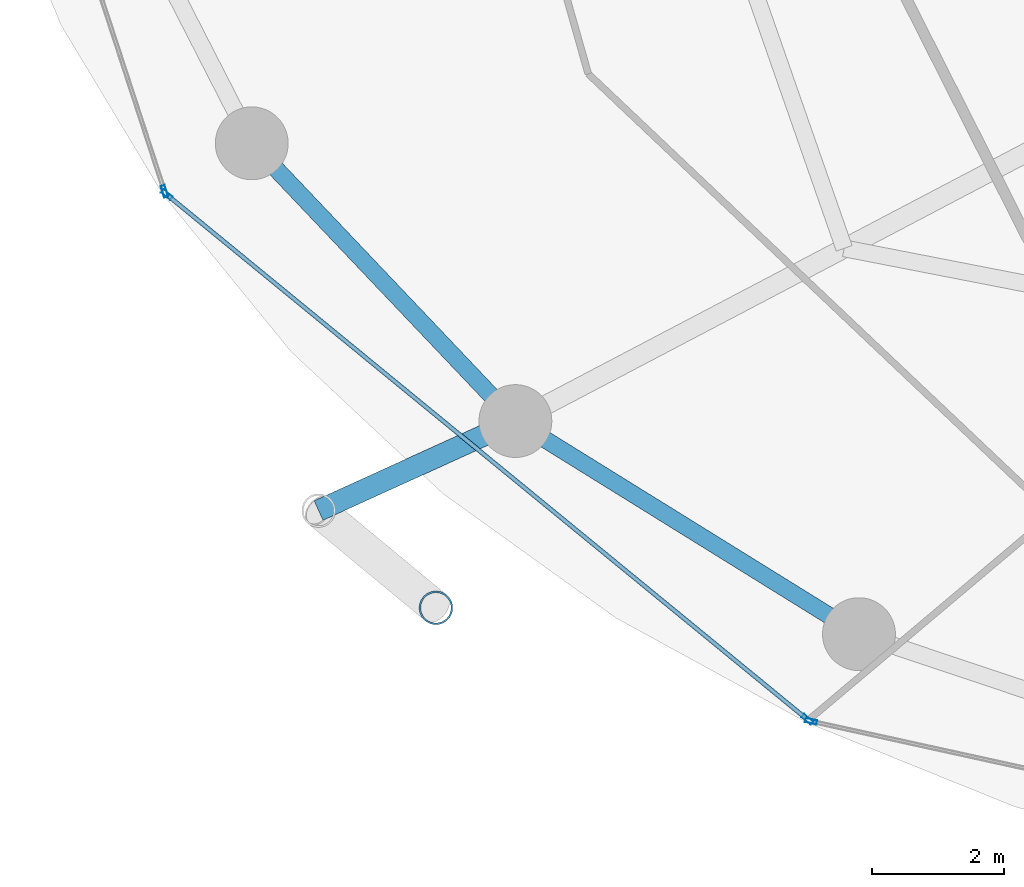
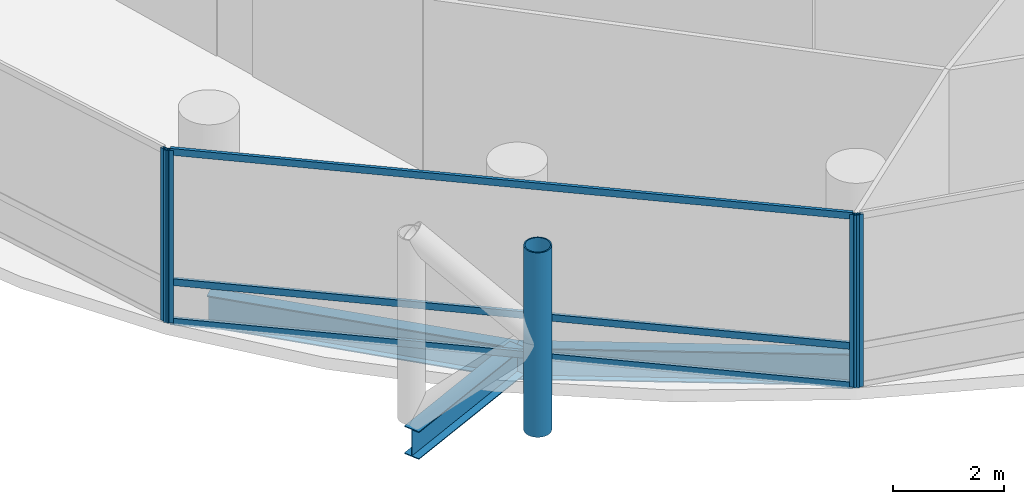
# One storey, part 2 of 24: 8 members, 3 beams, 3 elements without a shape of their own.
"""IFC4 building model written with IfcOpenShell, lengths in metres."""

import ifcopenshell
import ifcopenshell.guid

model = None  # the IFC model being written
_history = None  # IfcOwnerHistory: only IFC2X3 demands one
_inside = {}  # id of a spatial element -> (the spatial element, [elements in it])
_under = {}  # id of a project, library or spatial element -> (it, [spatial elements below it])
_declared = {}  # id of a project -> (the project, [libraries it declares])
_typed = {}  # id of a type object -> (the type object, [elements of that type])
_made_of = {}  # id of a material, layer set ... -> (it, [elements and type objects made of it])


def new_model(schema):
    """Start an empty IFC model of exactly this schema.

    Asked for "IFC4X3", IfcOpenShell would pick the latest addendum, in which some entities
    have other attributes; the version numbers below select the first issue.
    IFC2X3 requires an IfcOwnerHistory on every rooted entity: one is made here for all.
    """
    global model, _history
    if schema == "IFC4X3":
        model = ifcopenshell.file(schema_version=(4, 3, 0, 0))
    else:
        model = ifcopenshell.file(schema=schema)
    _inside.clear()
    _under.clear()
    _declared.clear()
    _typed.clear()
    _made_of.clear()
    _history = None
    if model.schema == "IFC2X3":
        org = make("IfcOrganization", Name="unknown")
        user = make(
            "IfcPersonAndOrganization",
            ThePerson=make("IfcPerson", FamilyName="unknown"),
            TheOrganization=org,
        )
        app = make(
            "IfcApplication",
            ApplicationDeveloper=org,
            Version="unknown",
            ApplicationFullName="unknown",
            ApplicationIdentifier="unknown",
        )
        _history = make(
            "IfcOwnerHistory",
            OwningUser=user,
            OwningApplication=app,
            ChangeAction="ADDED",
            CreationDate=0,
        )
    return model


def make(cls, **values):
    """One entity of the class cls with the attributes given. An attribute that is None is left unset."""
    return model.create_entity(
        cls, **{name: value for name, value in values.items() if value is not None}
    )


def rooted(cls, **values):
    """An entity with a GlobalId (a new one), such as an element, a storey or a relation."""
    return make(cls, GlobalId=ifcopenshell.guid.new(), OwnerHistory=_history, **values)


def si_unit(unit_type, name, prefix=None):
    """IfcSIUnit, for example si_unit("LENGTHUNIT", "METRE", prefix="MILLI")."""
    return make("IfcSIUnit", UnitType=unit_type, Prefix=prefix, Name=name)


def assignment(units):
    """IfcUnitAssignment: the units of a project."""
    return None if units is None else make("IfcUnitAssignment", Units=units)


def point(xyz):
    """IfcCartesianPoint."""
    return None if xyz is None else make("IfcCartesianPoint", Coordinates=xyz)


def direction(xyz):
    """IfcDirection."""
    return None if xyz is None else make("IfcDirection", DirectionRatios=xyz)


def frame(location, z_axis=None, x_axis=None):
    """IfcAxis2Placement3D, a coordinate frame: its origin and axes. An axis left out is left unset."""
    return make(
        "IfcAxis2Placement3D",
        Location=point(location),
        Axis=direction(z_axis),
        RefDirection=direction(x_axis),
    )


def frame_2d(location, x_axis=None):
    """IfcAxis2Placement2D, a coordinate frame in the plane: its origin and x axis."""
    return make(
        "IfcAxis2Placement2D", Location=point(location), RefDirection=direction(x_axis)
    )


def origin():
    """The frame at (0, 0, 0) with its axes left unset."""
    return frame((0.0, 0.0, 0.0))


def origin_2d():
    """The frame at (0, 0) in the plane with its x axis left unset."""
    return frame_2d((0.0, 0.0))


def place(relative_to, where):
    """IfcLocalPlacement: puts the frame where relative to a parent placement (None: the world)."""
    return make(
        "IfcLocalPlacement", PlacementRelTo=relative_to, RelativePlacement=where
    )


def context(
    kind, dimensions, precision=None, world=None, true_north=None, identifier=None
):
    """IfcGeometricRepresentationContext, for example the 3D "Model" context."""
    return make(
        "IfcGeometricRepresentationContext",
        ContextIdentifier=identifier,
        ContextType=kind,
        CoordinateSpaceDimension=dimensions,
        Precision=precision,
        WorldCoordinateSystem=world,
        TrueNorth=true_north,
    )


def subcontext(parent, identifier, kind, view, scale=None):
    """IfcGeometricRepresentationSubContext, for example "Body" below "Model"."""
    return make(
        "IfcGeometricRepresentationSubContext",
        ContextIdentifier=identifier,
        ContextType=kind,
        ParentContext=parent,
        TargetScale=scale,
        TargetView=view,
    )


def project(units=None, contexts=None):
    """IfcProject with its units and contexts."""
    return rooted(
        "IfcProject",
        Name="project",
        RepresentationContexts=contexts,
        UnitsInContext=assignment(units),
    )


def spatial(cls, under=None, at=None, **own):
    """A site, building, storey or space (cls), placed at a placement, below another one or the project."""
    s = rooted(cls, ObjectPlacement=at, **own)
    if under is not None:
        _under.setdefault(under.id(), (under, []))[1].append(s)
    return s


def profile(cls, at=None, kind="AREA", **sizes):
    """A parametric profile (cls). Its sizes go by their IFC names, for example OverallWidth=200.0."""
    return make(cls, ProfileType=kind, Position=at, **sizes)


def hollow_rectangle(**sizes):
    """IfcRectangleHollowProfileDef."""
    return profile("IfcRectangleHollowProfileDef", **sizes)


def hollow_circle(**sizes):
    """IfcCircleHollowProfileDef."""
    return profile("IfcCircleHollowProfileDef", **sizes)


def i_section(**sizes):
    """IfcIShapeProfileDef."""
    return profile("IfcIShapeProfileDef", **sizes)


def extrude(swept, where, along, depth):
    """IfcExtrudedAreaSolid: the profile swept, set in the frame where, extruded along a direction by depth."""
    return make(
        "IfcExtrudedAreaSolid",
        SweptArea=swept,
        Position=where,
        ExtrudedDirection=direction(along),
        Depth=depth,
    )


def shape(context_of_items, identifier, shape_type, items):
    """IfcShapeRepresentation: the items that make up one representation, for example the "Body"."""
    return make(
        "IfcShapeRepresentation",
        ContextOfItems=context_of_items,
        RepresentationIdentifier=identifier,
        RepresentationType=shape_type,
        Items=items,
    )


def material(Name=None, Category=None):
    """IfcMaterial."""
    return make("IfcMaterial", Name=Name, Category=Category)


def layer(
    of_material, thickness, ventilated=None, Name=None, Category=None, Priority=None
):
    """IfcMaterialLayer: one layer of a wall or slab, of a material (None: an air gap)."""
    return make(
        "IfcMaterialLayer",
        Material=of_material,
        LayerThickness=thickness,
        IsVentilated=ventilated,
        Name=Name,
        Category=Category,
        Priority=Priority,
    )


def layer_set(layers, Name=None):
    """IfcMaterialLayerSet."""
    return make("IfcMaterialLayerSet", MaterialLayers=layers, LayerSetName=Name)


def material_profile(
    of_material, cross_section, Name=None, Category=None, Priority=None
):
    """IfcMaterialProfile: a cross section and its material."""
    return make(
        "IfcMaterialProfile",
        Name=Name,
        Material=of_material,
        Profile=cross_section,
        Priority=Priority,
        Category=Category,
    )


def profile_set(profiles, Name=None, composite=None):
    """IfcMaterialProfileSet."""
    return make(
        "IfcMaterialProfileSet",
        Name=Name,
        MaterialProfiles=profiles,
        CompositeProfile=composite,
    )


def made_of(thing, what):
    """Note that an element or type object is made of a material, layer set ...; save() writes the relation."""
    if what is not None:
        _made_of.setdefault(what.id(), (what, []))[1].append(thing)
    return thing


def type_object(cls, material=None, **own):
    """A type object (cls), such as IfcWallType, which elements share."""
    return made_of(rooted(cls, **own), material)


def element(
    cls,
    number,
    at=None,
    inside=None,
    cuts=None,
    type_object=None,
    material=None,
    context=None,
    identifier="Body",
    shape_type=None,
    held_by="IfcProductDefinitionShape",
    body=None,
    shapes=None,
    **own,
):
    """One element of the class cls, such as IfcWall. Its Tag is "e" and its number.

    at: its placement. inside: the storey or other place that contains it. cuts: it is an
    opening in that element (IfcRelVoidsElement). A single representation is given by context,
    identifier, shape_type and body (its items); several are given by shapes. held_by: the class
    of the entity that holds the representations. save() writes the other relations.
    """
    e = rooted(cls, Tag="e%d" % number, ObjectPlacement=at, **own)
    if body is not None:
        shapes = [shape(context, identifier, shape_type, body)]
    if shapes is not None:
        e.Representation = make(held_by, Representations=shapes)
    if inside is not None:
        _inside.setdefault(inside.id(), (inside, []))[1].append(e)
    if cuts is not None:
        rooted(
            "IfcRelVoidsElement", RelatingBuildingElement=cuts, RelatedOpeningElement=e
        )
    if type_object is not None:
        _typed.setdefault(type_object.id(), (type_object, []))[1].append(e)
    return made_of(e, material)


def aggregate(whole, parts):
    """IfcRelAggregates: a whole, such as a stair, and the parts it consists of."""
    return rooted("IfcRelAggregates", RelatingObject=whole, RelatedObjects=parts)


def save(model, path):
    """Write the relations noted so far, then the file.

    IfcRelAggregates (storeys below a building ...), IfcRelContainedInSpatialStructure (elements
    in a storey), IfcRelDefinesByType, IfcRelAssociatesMaterial and IfcRelDeclares: one each for
    every whole, place, type object, material and project.
    """
    for whole, parts in _under.values():
        aggregate(whole, parts)
    for where, things in _inside.values():
        rooted(
            "IfcRelContainedInSpatialStructure",
            RelatedElements=things,
            RelatingStructure=where,
        )
    for kind, things in _typed.values():
        rooted("IfcRelDefinesByType", RelatedObjects=things, RelatingType=kind)
    for what, things in _made_of.values():
        rooted("IfcRelAssociatesMaterial", RelatedObjects=things, RelatingMaterial=what)
    for by, libraries in _declared.values():
        rooted("IfcRelDeclares", RelatingContext=by, RelatedDefinitions=libraries)
    model.write(path)


model = new_model("IFC4")

# Units and contexts
model_context = context("Model", 3, precision=1e-05, world=origin(), true_north=direction((0.0, 1.0)))
body_context = subcontext(model_context, "Body", "Model", "MODEL_VIEW")
ifc_project = project(units=[si_unit("LENGTHUNIT", "METRE"), si_unit("AREAUNIT", "SQUARE_METRE"), si_unit("VOLUMEUNIT", "CUBIC_METRE"), si_unit("PLANEANGLEUNIT", "RADIAN"), si_unit("MASSUNIT", "GRAM", prefix="KILO")], contexts=[model_context])

# Site, building, storey
site_placement = place(None, origin())
site = spatial("IfcSite", under=ifc_project, at=site_placement, CompositionType="ELEMENT")
building_placement = place(site_placement, origin())
building = spatial("IfcBuilding", under=site, at=building_placement, Name="Nuhasar Tower", CompositionType="ELEMENT")
storey_placement = place(building_placement, frame((0.0, 0.0, 37.199951171875)))
storey = spatial("IfcBuildingStorey", under=building, at=storey_placement, Name="L08", CompositionType="ELEMENT", Elevation=37.199951171875)

# Beams
ifc_material_1 = material(Name="Steel S355", Category="steel")
ifc_material_profile_1 = material_profile(ifc_material_1, i_section(OverallWidth=0.256103515625, OverallDepth=0.693115234375, WebThickness=0.014404296875, FlangeThickness=0.023681640625, at=origin_2d()), Name="W27X114")
ifc_profile_set_1 = profile_set([ifc_material_profile_1], Name="Steel S355")
beam_type_1 = type_object("IfcBeamType", Name="BM-RING-W27X114", PredefinedType="SPANDREL", material=ifc_profile_set_1)
beam_1_placement = place(storey_placement, frame((17.305908203125, 16.675048828125, -0.60693359375), z_axis=(0.688459812429, -0.725274490569, 0.0), x_axis=(0.725274490569, 0.688459812429, 0.0)))
element("IfcBeam", 1, at=beam_1_placement, inside=storey, type_object=beam_type_1, Name="L08 Perimeter Ring Spandrel 15", PredefinedType="SPANDREL", context=body_context, shape_type="SweptSolid", body=[
    extrude(i_section(OverallWidth=0.256103515625, OverallDepth=0.693115234375, WebThickness=0.014404296875, FlangeThickness=0.023681640625, at=origin_2d()), origin(), (0.0, 0.0, 1.0), 5.78271484375),
])
beam_2_placement = place(storey_placement, frame((21.287109375, 12.48095703125, -0.60693359375), z_axis=(0.849795216549, -0.527112976439, 0.0), x_axis=(0.527112976439, 0.849795216549, 0.0)))
element("IfcBeam", 2, at=beam_2_placement, inside=storey, type_object=beam_type_1, Name="L08 Perimeter Ring Spandrel 16", PredefinedType="SPANDREL", context=body_context, shape_type="SweptSolid", body=[
    extrude(i_section(OverallWidth=0.256103515625, OverallDepth=0.693115234375, WebThickness=0.014404296875, FlangeThickness=0.023681640625, at=origin_2d()), origin(), (0.0, 0.0, 1.0), 6.10498046875),
])
ifc_material_profile_2 = material_profile(ifc_material_1, i_section(OverallWidth=0.323974609375, OverallDepth=0.611083984375, WebThickness=0.0126953125, FlangeThickness=0.01904296875, at=origin_2d()), Name="W24X104")
ifc_profile_set_2 = profile_set([ifc_material_profile_2], Name="Steel S355")
beam_type_2 = type_object("IfcBeamType", Name="BM-TIE-W24X104", PredefinedType="BEAM", material=ifc_profile_set_2)
beam_3_placement = place(storey_placement, frame((21.287109375, 12.48095703125, -0.56591796875), z_axis=(-0.910243528587, -0.414073325227, 0.0), x_axis=(0.414073325227, -0.910243528587, 0.0)))
element("IfcBeam", 3, at=beam_3_placement, inside=storey, type_object=beam_type_2, Name="L08 Exoskeleton Node Tie Beam 08", PredefinedType="BEAM", context=body_context, shape_type="SweptSolid", body=[
    extrude(i_section(OverallWidth=0.323974609375, OverallDepth=0.611083984375, WebThickness=0.0126953125, FlangeThickness=0.01904296875, at=origin_2d()), origin(), (0.0, 0.0, 1.0), 3.26513671875),
])

# Curtain wall, member
ifc_material_2 = material(Name="Aluminium 6063-T6", Category="aluminium")
ifc_layer = layer(ifc_material_2, 0.199951171875)
ifc_layer_set = layer_set([ifc_layer], Name="Aluminium 6063-T6")
curtain_wall_type = type_object("IfcCurtainWallType", Name="CW-Z1-OFF", PredefinedType="NOTDEFINED", material=ifc_layer_set)
curtain_wall_1_placement = place(storey_placement, origin())
curtain_wall_1 = element("IfcCurtainWall", 4, at=curtain_wall_1_placement, inside=storey, type_object=curtain_wall_type, Name="L08 Unitised Curtain Wall 07", PredefinedType="NOTDEFINED")
ifc_material_profile_3 = material_profile(ifc_material_2, hollow_rectangle(XDim=0.06494140625, YDim=0.179931640625, WallThickness=0.0048828125, at=origin_2d()), Name="CWM-2")
ifc_profile_set_3 = profile_set([ifc_material_profile_3], Name="Aluminium 6063-T6")
member_type_1 = type_object("IfcMemberType", Name="CW-MUL-S2", PredefinedType="MULLION", material=ifc_profile_set_3)
member_1_placement = place(storey_placement, frame((15.98779296875, 15.950927734375, 0.0), z_axis=(0.0, 0.0, 1.0), x_axis=(0.950467534571, 0.310823849997, 0.0)))
member_1 = element("IfcMember", 5, at=member_1_placement, type_object=member_type_1, Name="CW-Z1 mullion 2", PredefinedType="MULLION", context=body_context, shape_type="SweptSolid", body=[
    extrude(hollow_rectangle(XDim=0.06494140625, YDim=0.179931640625, WallThickness=0.0048828125, at=origin_2d()), origin(), (0.0, 0.0, 1.0), 3.7900390625),
])
aggregate(curtain_wall_1, [member_1])

# Curtain wall, members
curtain_wall_2_placement = place(storey_placement, origin())
curtain_wall_2 = element("IfcCurtainWall", 6, at=curtain_wall_2_placement, inside=storey, type_object=curtain_wall_type, Name="L08 Unitised Curtain Wall 08", PredefinedType="NOTDEFINED")
member_2_placement = place(storey_placement, frame((16.023193359375, 15.8994140625, 0.0), z_axis=(0.0, 0.0, 1.0), x_axis=(0.633744593376, 0.773542364946, 0.0)))
member_2 = element("IfcMember", 7, at=member_2_placement, type_object=member_type_1, Name="CW-Z1 mullion 1", PredefinedType="MULLION", context=body_context, shape_type="SweptSolid", body=[
    extrude(hollow_rectangle(XDim=0.06494140625, YDim=0.179931640625, WallThickness=0.0048828125, at=origin_2d()), origin(), (0.0, 0.0, 1.0), 3.7900390625),
])
member_3_placement = place(storey_placement, frame((25.69482421875, 7.9755859375, 0.0), z_axis=(0.0, 0.0, 1.0), x_axis=(0.633744593376, 0.773542364946, 0.0)))
member_3 = element("IfcMember", 8, at=member_3_placement, type_object=member_type_1, Name="CW-Z1 mullion 2", PredefinedType="MULLION", context=body_context, shape_type="SweptSolid", body=[
    extrude(hollow_rectangle(XDim=0.06494140625, YDim=0.179931640625, WallThickness=0.0048828125, at=origin_2d()), origin(), (0.0, 0.0, 1.0), 3.7900390625),
])

# Curtain wall, member
curtain_wall_3_placement = place(storey_placement, origin())
curtain_wall_3 = element("IfcCurtainWall", 9, at=curtain_wall_3_placement, inside=storey, type_object=curtain_wall_type, Name="L08 Unitised Curtain Wall 09", PredefinedType="NOTDEFINED")
member_4_placement = place(storey_placement, frame((25.751708984375, 7.947998046875, 0.0), z_axis=(0.0, 0.0, 1.0), x_axis=(0.214398737637, 0.976746221544, 0.0)))
member_4 = element("IfcMember", 10, at=member_4_placement, type_object=member_type_1, Name="CW-Z1 mullion 1", PredefinedType="MULLION", context=body_context, shape_type="SweptSolid", body=[
    extrude(hollow_rectangle(XDim=0.06494140625, YDim=0.179931640625, WallThickness=0.0048828125, at=origin_2d()), origin(), (0.0, 0.0, 1.0), 3.7900390625),
])
aggregate(curtain_wall_3, [member_4])

# Member
ifc_material_profile_4 = material_profile(ifc_material_2, hollow_rectangle(XDim=0.06494140625, YDim=0.14990234375, WallThickness=0.00439453125, at=origin_2d()), Name="CWT-2")
ifc_profile_set_4 = profile_set([ifc_material_profile_4], Name="Aluminium 6063-T6")
member_type_2 = type_object("IfcMemberType", Name="CW-TRN-S2", PredefinedType="USERDEFINED", material=ifc_profile_set_4)
member_5_placement = place(storey_placement, frame((16.04833984375, 15.87890625, 0.032470703125), z_axis=(0.773531229158, -0.633758185365, 0.0), x_axis=(0.633758185365, 0.773531229158, 0.0)))
member_5 = element("IfcMember", 11, at=member_5_placement, type_object=member_type_2, Name="CW-Z1 transom 1.1", ObjectType="TRANSOM", PredefinedType="USERDEFINED", context=body_context, shape_type="SweptSolid", body=[
    extrude(hollow_rectangle(XDim=0.06494140625, YDim=0.14990234375, WallThickness=0.00439453125, at=origin_2d()), origin(), (0.0, 0.0, 1.0), 12.438232421875),
])

member_6_placement = place(storey_placement, frame((16.04833984375, 15.87890625, 0.900146484375), z_axis=(0.773531229158, -0.633758185365, 0.0), x_axis=(0.633758185365, 0.773531229158, 0.0)))
member_6 = element("IfcMember", 12, at=member_6_placement, type_object=member_type_2, Name="CW-Z1 transom 1.2", ObjectType="TRANSOM", PredefinedType="USERDEFINED", context=body_context, shape_type="SweptSolid", body=[
    extrude(hollow_rectangle(XDim=0.06494140625, YDim=0.14990234375, WallThickness=0.00439453125, at=origin_2d()), origin(), (0.0, 0.0, 1.0), 12.438232421875),
])

member_7_placement = place(storey_placement, frame((16.04833984375, 15.87890625, 3.757568359375), z_axis=(0.773531229158, -0.633758185365, 0.0), x_axis=(0.633758185365, 0.773531229158, 0.0)))
member_7 = element("IfcMember", 13, at=member_7_placement, type_object=member_type_2, Name="CW-Z1 transom 1.3", ObjectType="TRANSOM", PredefinedType="USERDEFINED", context=body_context, shape_type="SweptSolid", body=[
    extrude(hollow_rectangle(XDim=0.06494140625, YDim=0.14990234375, WallThickness=0.00439453125, at=origin_2d()), origin(), (0.0, 0.0, 1.0), 12.438232421875),
])

aggregate(curtain_wall_2, [member_2, member_3, member_5, member_6, member_7])

ifc_material_3 = material(Name="Steel S460", Category="steel")
ifc_material_profile_5 = material_profile(ifc_material_3, hollow_circle(Radius=0.25390625, WallThickness=0.025390625, at=origin_2d()), Name="HSS508X25.4")
ifc_profile_set_5 = profile_set([ifc_material_profile_5], Name="Steel S460")
member_type_3 = type_object("IfcMemberType", Name="EXO-BRONZE-508", PredefinedType="BRACE", material=ifc_profile_set_5)
member_8_placement = place(storey_placement, frame((20.0869140625, 9.660888671875, 0.0), z_axis=(0.0, 0.0, 1.0), x_axis=(1.0, 0.0, 0.0)))
element("IfcMember", 14, at=member_8_placement, inside=storey, type_object=member_type_3, Name="L08 Exoskeleton Chord Column EC-08B", PredefinedType="BRACE", context=body_context, shape_type="SweptSolid", body=[
    extrude(hollow_circle(Radius=0.25390625, WallThickness=0.025390625, at=origin_2d()), origin(), (0.0, 0.0, 1.0), 4.050048828125),
])

save(model, "model.ifc")
